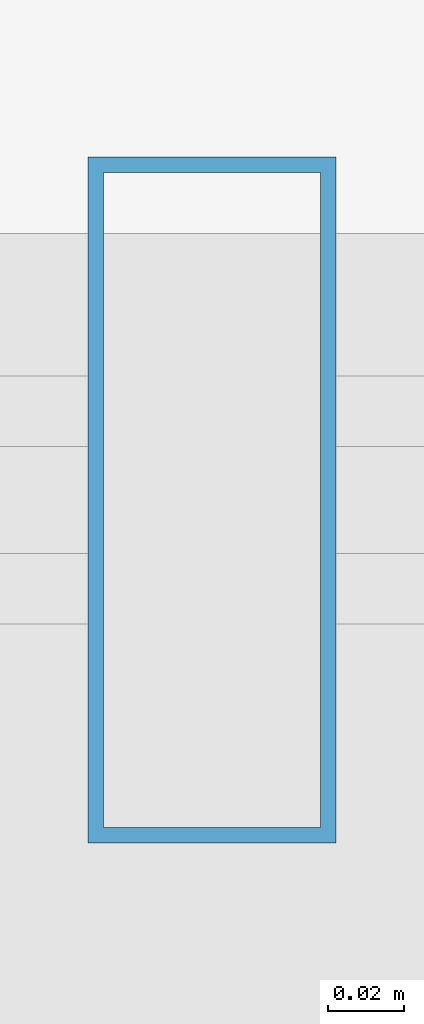
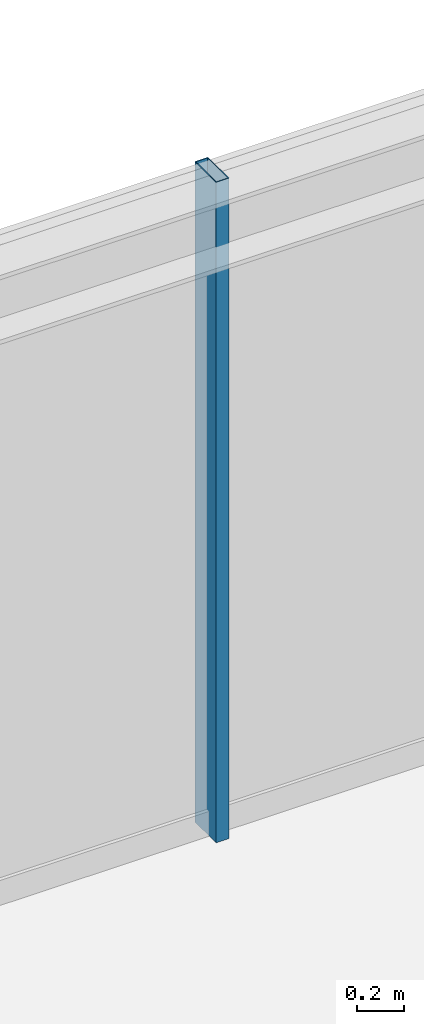
# One storey, part 21 of 33: 1 member, 1 element without a shape of its own.
"""IFC4 building model written with IfcOpenShell, lengths in metres."""

from ifc_helpers import new_model, si_unit, direction, frame, origin, origin_2d, place, context, subcontext, project, spatial, hollow_rectangle, extrude, source, transform, mapped, material, material_profile, profile_set, type_object, element, aggregate, save


model = new_model("IFC4")

# Units and contexts
model_context = context("Model", 3, precision=1e-05, world=origin(), true_north=direction((0.0, 1.0)))
body_context = subcontext(model_context, "Body", "Model", "MODEL_VIEW")
ifc_project = project(units=[si_unit("LENGTHUNIT", "METRE"), si_unit("AREAUNIT", "SQUARE_METRE"), si_unit("VOLUMEUNIT", "CUBIC_METRE"), si_unit("PLANEANGLEUNIT", "RADIAN"), si_unit("MASSUNIT", "GRAM", prefix="KILO")], contexts=[model_context])

# Site, building, storey
site_placement = place(None, origin())
site = spatial("IfcSite", under=ifc_project, at=site_placement, CompositionType="ELEMENT")
building_placement = place(site_placement, origin())
building = spatial("IfcBuilding", under=site, at=building_placement, Name="Nahalor Promenade Grand Hotel", CompositionType="ELEMENT")
storey_placement = place(building_placement, frame((0.0, 0.0, 270.050048828125)))
storey = spatial("IfcBuildingStorey", under=building, at=storey_placement, Name="L69", CompositionType="ELEMENT", Elevation=270.050048828125)

# Curtain wall, member
ifc_material = material(Name="Anodised Bronze Aluminium EN AW-6063 T6", Category="aluminium")
curtain_wall_type = type_object("IfcCurtainWallType", Name="CW2 Typical Hotel Flush Bronze Unitised Curtain Wall", PredefinedType="USERDEFINED", material=ifc_material)
curtain_wall_placement = place(storey_placement, origin())
curtain_wall = element("IfcCurtainWall", 1, at=curtain_wall_placement, inside=storey, type_object=curtain_wall_type, Name="L69 Curtain Wall CW-L69-N-1", ObjectType="UNITISED_CURTAIN_WALL", PredefinedType="USERDEFINED")
ifc_material_profile = material_profile(ifc_material, hollow_rectangle(XDim=0.065, YDim=0.18, WallThickness=0.004, at=origin_2d()), Name="CWM 65x180x4")
ifc_profile_set = profile_set([ifc_material_profile], Name="Anodised Bronze Aluminium EN AW-6063 T6")
member_type = type_object("IfcMemberType", Name="CWM2 Typical Bronze Mullion 65x180", PredefinedType="MULLION", material=ifc_profile_set)
shared_shape = source(origin(), body_context, "Body", "SweptSolid", [
    extrude(hollow_rectangle(XDim=0.065, YDim=0.18, WallThickness=0.004, at=origin_2d()), origin(), (0.0, 0.0, 1.0), 3.449951171875),
])
member_placement = place(storey_placement, frame((6.586669921875, 22.56005859375, 0.0), z_axis=(0.0, 0.0, 1.0), x_axis=(1.0, 0.0, 0.0)))
member = element("IfcMember", 2, at=member_placement, type_object=member_type, Name="CW-L69-N-1 Mullion 2", PredefinedType="MULLION", context=body_context, shape_type="MappedRepresentation", body=[
    mapped(shared_shape, transform((0.0, 0.0, 0.0), scale=1.0)),
])
aggregate(curtain_wall, [member])

save(model, "model.ifc")
